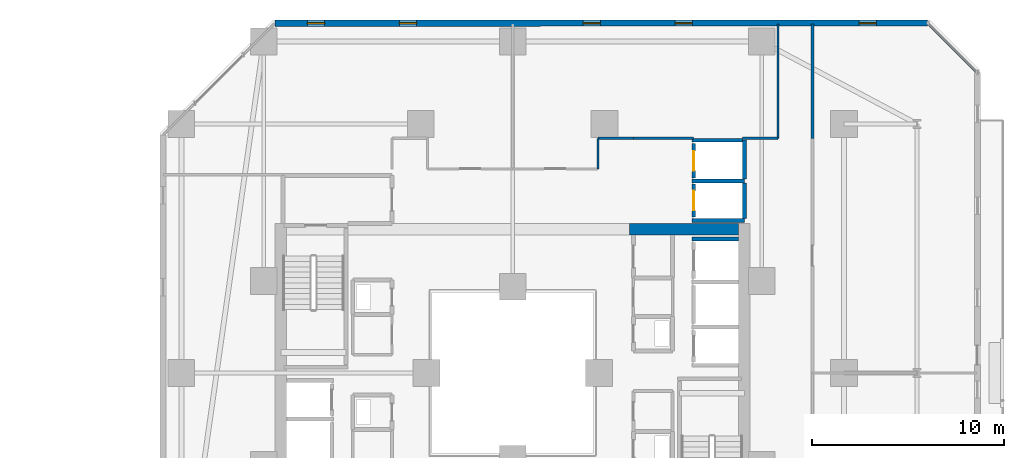
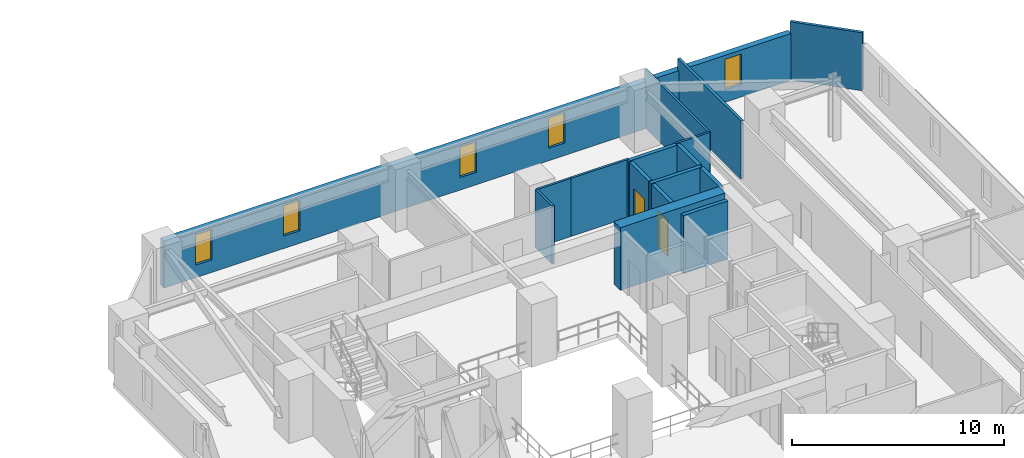
# One storey, part 25 of 33: 17 walls, 5 windows, 2 doors, 7 openings.
"""IFC4 building model written with IfcOpenShell, lengths in metres."""

import ifcopenshell
import ifcopenshell.guid

model = None  # the IFC model being written
_history = None  # IfcOwnerHistory: only IFC2X3 demands one
_inside = {}  # id of a spatial element -> (the spatial element, [elements in it])
_under = {}  # id of a project, library or spatial element -> (it, [spatial elements below it])
_declared = {}  # id of a project -> (the project, [libraries it declares])
_typed = {}  # id of a type object -> (the type object, [elements of that type])
_made_of = {}  # id of a material, layer set ... -> (it, [elements and type objects made of it])


def new_model(schema):
    """Start an empty IFC model of exactly this schema.

    Asked for "IFC4X3", IfcOpenShell would pick the latest addendum, in which some entities
    have other attributes; the version numbers below select the first issue.
    IFC2X3 requires an IfcOwnerHistory on every rooted entity: one is made here for all.
    """
    global model, _history
    if schema == "IFC4X3":
        model = ifcopenshell.file(schema_version=(4, 3, 0, 0))
    else:
        model = ifcopenshell.file(schema=schema)
    _inside.clear()
    _under.clear()
    _declared.clear()
    _typed.clear()
    _made_of.clear()
    _history = None
    if model.schema == "IFC2X3":
        org = make("IfcOrganization", Name="unknown")
        user = make(
            "IfcPersonAndOrganization",
            ThePerson=make("IfcPerson", FamilyName="unknown"),
            TheOrganization=org,
        )
        app = make(
            "IfcApplication",
            ApplicationDeveloper=org,
            Version="unknown",
            ApplicationFullName="unknown",
            ApplicationIdentifier="unknown",
        )
        _history = make(
            "IfcOwnerHistory",
            OwningUser=user,
            OwningApplication=app,
            ChangeAction="ADDED",
            CreationDate=0,
        )
    return model


def make(cls, **values):
    """One entity of the class cls with the attributes given. An attribute that is None is left unset."""
    return model.create_entity(
        cls, **{name: value for name, value in values.items() if value is not None}
    )


def rooted(cls, **values):
    """An entity with a GlobalId (a new one), such as an element, a storey or a relation."""
    return make(cls, GlobalId=ifcopenshell.guid.new(), OwnerHistory=_history, **values)


def si_unit(unit_type, name, prefix=None):
    """IfcSIUnit, for example si_unit("LENGTHUNIT", "METRE", prefix="MILLI")."""
    return make("IfcSIUnit", UnitType=unit_type, Prefix=prefix, Name=name)


def assignment(units):
    """IfcUnitAssignment: the units of a project."""
    return None if units is None else make("IfcUnitAssignment", Units=units)


def point(xyz):
    """IfcCartesianPoint."""
    return None if xyz is None else make("IfcCartesianPoint", Coordinates=xyz)


def direction(xyz):
    """IfcDirection."""
    return None if xyz is None else make("IfcDirection", DirectionRatios=xyz)


def frame(location, z_axis=None, x_axis=None):
    """IfcAxis2Placement3D, a coordinate frame: its origin and axes. An axis left out is left unset."""
    return make(
        "IfcAxis2Placement3D",
        Location=point(location),
        Axis=direction(z_axis),
        RefDirection=direction(x_axis),
    )


def frame_2d(location, x_axis=None):
    """IfcAxis2Placement2D, a coordinate frame in the plane: its origin and x axis."""
    return make(
        "IfcAxis2Placement2D", Location=point(location), RefDirection=direction(x_axis)
    )


def origin():
    """The frame at (0, 0, 0) with its axes left unset."""
    return frame((0.0, 0.0, 0.0))


def place(relative_to, where):
    """IfcLocalPlacement: puts the frame where relative to a parent placement (None: the world)."""
    return make(
        "IfcLocalPlacement", PlacementRelTo=relative_to, RelativePlacement=where
    )


def context(
    kind, dimensions, precision=None, world=None, true_north=None, identifier=None
):
    """IfcGeometricRepresentationContext, for example the 3D "Model" context."""
    return make(
        "IfcGeometricRepresentationContext",
        ContextIdentifier=identifier,
        ContextType=kind,
        CoordinateSpaceDimension=dimensions,
        Precision=precision,
        WorldCoordinateSystem=world,
        TrueNorth=true_north,
    )


def subcontext(parent, identifier, kind, view, scale=None):
    """IfcGeometricRepresentationSubContext, for example "Body" below "Model"."""
    return make(
        "IfcGeometricRepresentationSubContext",
        ContextIdentifier=identifier,
        ContextType=kind,
        ParentContext=parent,
        TargetScale=scale,
        TargetView=view,
    )


def project(units=None, contexts=None):
    """IfcProject with its units and contexts."""
    return rooted(
        "IfcProject",
        Name="project",
        RepresentationContexts=contexts,
        UnitsInContext=assignment(units),
    )


def spatial(cls, under=None, at=None, **own):
    """A site, building, storey or space (cls), placed at a placement, below another one or the project."""
    s = rooted(cls, ObjectPlacement=at, **own)
    if under is not None:
        _under.setdefault(under.id(), (under, []))[1].append(s)
    return s


def profile(cls, at=None, kind="AREA", **sizes):
    """A parametric profile (cls). Its sizes go by their IFC names, for example OverallWidth=200.0."""
    return make(cls, ProfileType=kind, Position=at, **sizes)


def rectangle(**sizes):
    """IfcRectangleProfileDef."""
    return profile("IfcRectangleProfileDef", **sizes)


def extrude(swept, where, along, depth):
    """IfcExtrudedAreaSolid: the profile swept, set in the frame where, extruded along a direction by depth."""
    return make(
        "IfcExtrudedAreaSolid",
        SweptArea=swept,
        Position=where,
        ExtrudedDirection=direction(along),
        Depth=depth,
    )


def shape(context_of_items, identifier, shape_type, items):
    """IfcShapeRepresentation: the items that make up one representation, for example the "Body"."""
    return make(
        "IfcShapeRepresentation",
        ContextOfItems=context_of_items,
        RepresentationIdentifier=identifier,
        RepresentationType=shape_type,
        Items=items,
    )


def material(Name=None, Category=None):
    """IfcMaterial."""
    return make("IfcMaterial", Name=Name, Category=Category)


def layer(
    of_material, thickness, ventilated=None, Name=None, Category=None, Priority=None
):
    """IfcMaterialLayer: one layer of a wall or slab, of a material (None: an air gap)."""
    return make(
        "IfcMaterialLayer",
        Material=of_material,
        LayerThickness=thickness,
        IsVentilated=ventilated,
        Name=Name,
        Category=Category,
        Priority=Priority,
    )


def layer_set(layers, Name=None):
    """IfcMaterialLayerSet."""
    return make("IfcMaterialLayerSet", MaterialLayers=layers, LayerSetName=Name)


def made_of(thing, what):
    """Note that an element or type object is made of a material, layer set ...; save() writes the relation."""
    if what is not None:
        _made_of.setdefault(what.id(), (what, []))[1].append(thing)
    return thing


def type_object(cls, material=None, **own):
    """A type object (cls), such as IfcWallType, which elements share."""
    return made_of(rooted(cls, **own), material)


def element(
    cls,
    number,
    at=None,
    inside=None,
    cuts=None,
    type_object=None,
    material=None,
    context=None,
    identifier="Body",
    shape_type=None,
    held_by="IfcProductDefinitionShape",
    body=None,
    shapes=None,
    **own,
):
    """One element of the class cls, such as IfcWall. Its Tag is "e" and its number.

    at: its placement. inside: the storey or other place that contains it. cuts: it is an
    opening in that element (IfcRelVoidsElement). A single representation is given by context,
    identifier, shape_type and body (its items); several are given by shapes. held_by: the class
    of the entity that holds the representations. save() writes the other relations.
    """
    e = rooted(cls, Tag="e%d" % number, ObjectPlacement=at, **own)
    if body is not None:
        shapes = [shape(context, identifier, shape_type, body)]
    if shapes is not None:
        e.Representation = make(held_by, Representations=shapes)
    if inside is not None:
        _inside.setdefault(inside.id(), (inside, []))[1].append(e)
    if cuts is not None:
        rooted(
            "IfcRelVoidsElement", RelatingBuildingElement=cuts, RelatedOpeningElement=e
        )
    if type_object is not None:
        _typed.setdefault(type_object.id(), (type_object, []))[1].append(e)
    return made_of(e, material)


def fill(opening, filler):
    """IfcRelFillsElement: the door or window that sits in an opening."""
    return rooted(
        "IfcRelFillsElement",
        RelatingOpeningElement=opening,
        RelatedBuildingElement=filler,
    )


def aggregate(whole, parts):
    """IfcRelAggregates: a whole, such as a stair, and the parts it consists of."""
    return rooted("IfcRelAggregates", RelatingObject=whole, RelatedObjects=parts)


def save(model, path):
    """Write the relations noted so far, then the file.

    IfcRelAggregates (storeys below a building ...), IfcRelContainedInSpatialStructure (elements
    in a storey), IfcRelDefinesByType, IfcRelAssociatesMaterial and IfcRelDeclares: one each for
    every whole, place, type object, material and project.
    """
    for whole, parts in _under.values():
        aggregate(whole, parts)
    for where, things in _inside.values():
        rooted(
            "IfcRelContainedInSpatialStructure",
            RelatedElements=things,
            RelatingStructure=where,
        )
    for kind, things in _typed.values():
        rooted("IfcRelDefinesByType", RelatedObjects=things, RelatingType=kind)
    for what, things in _made_of.values():
        rooted("IfcRelAssociatesMaterial", RelatedObjects=things, RelatingMaterial=what)
    for by, libraries in _declared.values():
        rooted("IfcRelDeclares", RelatingContext=by, RelatedDefinitions=libraries)
    model.write(path)


model = new_model("IFC4")

# Units and contexts
model_context = context("Model", 3, precision=1e-05, world=origin(), true_north=direction((0.0, 1.0)))
body_context = subcontext(model_context, "Body", "Model", "MODEL_VIEW")
ifc_project = project(units=[si_unit("LENGTHUNIT", "METRE"), si_unit("AREAUNIT", "SQUARE_METRE"), si_unit("VOLUMEUNIT", "CUBIC_METRE"), si_unit("PLANEANGLEUNIT", "RADIAN"), si_unit("MASSUNIT", "GRAM", prefix="KILO")], contexts=[model_context])

# Site, building, storey
site_placement = place(None, origin())
site = spatial("IfcSite", under=ifc_project, at=site_placement, CompositionType="ELEMENT")
building_placement = place(site_placement, origin())
building = spatial("IfcBuilding", under=site, at=building_placement, Name="Thornwick Lancets Civic Towers", CompositionType="ELEMENT")
storey_placement = place(building_placement, frame((0.0, 0.0, 31.5)))
storey = spatial("IfcBuildingStorey", under=building, at=storey_placement, Name="L07", CompositionType="ELEMENT", Elevation=31.5)

# Wall, opening, door
ifc_material_1 = material(Name="Concrete blockwork C40/50", Category="masonry")
ifc_layer_1 = layer(ifc_material_1, 0.199951171875, Name="Concrete blockwork C40/50")
ifc_layer_set_1 = layer_set([ifc_layer_1], Name="Concrete blockwork C40/50")
wall_type_1 = type_object("IfcWallType", Name="WALL_COMP_200", PredefinedType="STANDARD", material=ifc_layer_set_1)
wall_1_placement = place(storey_placement, frame((97.949951171875, 36.8701171875, 0.0), z_axis=(0.0, 0.0, 1.0), x_axis=(0.0, -1.0, 0.0)))
wall_1 = element("IfcWall", 1, at=wall_1_placement, inside=storey, type_object=wall_type_1, Name="L07 Hoistway Front Wall PL-BL2", PredefinedType="STANDARD", context=body_context, shape_type="SweptSolid", body=[
    extrude(rectangle(XDim=1.740234375, YDim=0.199951171875, at=frame_2d((0.8701171875, 0.0))), origin(), (0.0, 0.0, 1.0), 3.340087890625),
])
opening_1_placement = place(wall_1_placement, frame((0.360107421875, 0.0, 0.0)))
opening_1 = element("IfcOpeningElement", 2, at=opening_1_placement, cuts=wall_1, Name="Opening LD-PL-BL2", PredefinedType="OPENING", context=body_context, shape_type="SweptSolid", body=[
    extrude(rectangle(XDim=1.02001953125, YDim=2.06005859375, at=frame_2d((0.510009765625, 1.030029296875))), frame((0.0, 0.10986328125, 0.0), z_axis=(0.0, -1.0, 0.0), x_axis=(1.0, 0.0, 0.0)), (0.0, 0.0, 1.0), 0.219970703125),
])
ifc_material_2 = material(Name="Brushed bronze stainless steel", Category="steel")
door_type = type_object("IfcDoorType", Name="DOOR_LIFT_SLIDE", OperationType="SLIDING_TO_LEFT", PredefinedType="DOOR", material=ifc_material_2)
door_1_placement = place(opening_1_placement, origin())
door_1 = element("IfcDoor", 3, at=door_1_placement, inside=storey, type_object=door_type, Name="L07 Sliding Lift Landing Door LD-PL-BL2", OperationType="SLIDING_TO_LEFT", OverallHeight=2.06005859375, OverallWidth=1.02001953125, PredefinedType="DOOR", context=body_context, shape_type="SweptSolid", body=[
    extrude(rectangle(XDim=1.02001953125, YDim=2.06005859375, at=frame_2d((0.510009765625, 1.030029296875))), frame((0.0, 0.02490234375, 0.0), z_axis=(0.0, -1.0, 0.0), x_axis=(1.0, 0.0, 0.0)), (0.0, 0.0, 1.0), 0.050048828125),
])
fill(opening_1, door_1)

wall_2_placement = place(storey_placement, frame((97.949951171875, 38.969970703125, 0.0), z_axis=(0.0, 0.0, 1.0), x_axis=(0.0, -1.0, 0.0)))
wall_2 = element("IfcWall", 4, at=wall_2_placement, inside=storey, type_object=wall_type_1, Name="L07 Hoistway Front Wall PL-BL3", PredefinedType="STANDARD", context=body_context, shape_type="SweptSolid", body=[
    extrude(rectangle(XDim=1.7900390625, YDim=0.199951171875, at=frame_2d((0.89501953125, 0.0))), origin(), (0.0, 0.0, 1.0), 3.340087890625),
])
opening_2_placement = place(wall_2_placement, frame((0.385009765625, 0.0, 0.0)))
opening_2 = element("IfcOpeningElement", 5, at=opening_2_placement, cuts=wall_2, Name="Opening LD-PL-BL3", PredefinedType="OPENING", context=body_context, shape_type="SweptSolid", body=[
    extrude(rectangle(XDim=1.02001953125, YDim=2.06005859375, at=frame_2d((0.510009765625, 1.030029296875))), frame((0.0, 0.10986328125, 0.0), z_axis=(0.0, -1.0, 0.0), x_axis=(1.0, 0.0, 0.0)), (0.0, 0.0, 1.0), 0.219970703125),
])
door_2_placement = place(opening_2_placement, origin())
door_2 = element("IfcDoor", 6, at=door_2_placement, inside=storey, type_object=door_type, Name="L07 Sliding Lift Landing Door LD-PL-BL3", OperationType="SLIDING_TO_LEFT", OverallHeight=2.06005859375, OverallWidth=1.02001953125, PredefinedType="DOOR", context=body_context, shape_type="SweptSolid", body=[
    extrude(rectangle(XDim=1.02001953125, YDim=2.06005859375, at=frame_2d((0.510009765625, 1.030029296875))), frame((0.0, 0.02490234375, 0.0), z_axis=(0.0, -1.0, 0.0), x_axis=(1.0, 0.0, 0.0)), (0.0, 0.0, 1.0), 0.050048828125),
])
fill(opening_2, door_2)

# Walls
wall_3_placement = place(storey_placement, frame((97.85205078125, 34.0, 0.0), z_axis=(0.0, 0.0, 1.0), x_axis=(1.0, 0.0, 0.0)))
element("IfcWall", 7, at=wall_3_placement, inside=storey, type_object=wall_type_1, Name="L07 Hoistway Shaft Wall PL-BL1 N", PredefinedType="STANDARD", context=body_context, shape_type="SweptSolid", body=[
    extrude(rectangle(XDim=2.43603515625, YDim=0.199951171875, at=frame_2d((1.218017578125, 0.0))), origin(), (0.0, 0.0, 1.0), 3.340087890625),
])
for number, where, z_axis, x_axis, name in (
    (8, (97.85205078125, 37.02490234375, 0.0), (0.0, 0.0, 1.0), (1.0, 0.0, 0.0), "L07 Hoistway Shaft Wall PL-BL2 N"),
    (9, (97.85205078125, 34.949951171875, 0.0), (0.0, 0.0, 1.0), (1.0, 0.0, 0.0), "L07 Hoistway Shaft Wall PL-BL2 S"),
):
    element("IfcWall", number, at=place(storey_placement, frame(where, z_axis=z_axis, x_axis=x_axis)), inside=storey, type_object=wall_type_1, Name=name, PredefinedType="STANDARD", context=body_context, shape_type="SweptSolid", body=[
        extrude(rectangle(XDim=2.745849609375, YDim=0.199951171875, at=frame_2d((1.373046875, 0.0))), origin(), (0.0, 0.0, 1.0), 3.340087890625),
    ])
wall_4_placement = place(storey_placement, frame((100.60009765625, 35.06201171875, 0.0), z_axis=(0.0, 0.0, 1.0), x_axis=(0.0, 1.0, 0.0)))
element("IfcWall", 10, at=wall_4_placement, inside=storey, type_object=wall_type_1, Name="L07 Hoistway Shaft Wall PL-BL2 E", PredefinedType="STANDARD", context=body_context, shape_type="SweptSolid", body=[
    extrude(rectangle(XDim=1.85595703125, YDim=0.199951171875, at=frame_2d((0.927978515625, 0.0))), origin(), (0.0, 0.0, 1.0), 3.340087890625),
])
wall_5_placement = place(storey_placement, frame((100.60009765625, 37.132080078125, 0.0), z_axis=(0.0, 0.0, 1.0), x_axis=(0.0, 1.0, 0.0)))
element("IfcWall", 11, at=wall_5_placement, inside=storey, type_object=wall_type_1, Name="L07 Hoistway Shaft Wall PL-BL2 E", PredefinedType="STANDARD", context=body_context, shape_type="SweptSolid", body=[
    extrude(rectangle(XDim=2.015869140625, YDim=0.199951171875, at=frame_2d((1.0078125, 0.0))), origin(), (0.0, 0.0, 1.0), 3.340087890625),
])
wall_6_placement = place(storey_placement, frame((97.85205078125, 39.14990234375, 0.0), z_axis=(0.0, 0.0, 1.0), x_axis=(1.0, 0.0, 0.0)))
element("IfcWall", 12, at=wall_6_placement, inside=storey, type_object=wall_type_1, Name="L07 Hoistway Shaft Wall PL-BL3 N", PredefinedType="STANDARD", context=body_context, shape_type="SweptSolid", body=[
    extrude(rectangle(XDim=2.635986328125, YDim=0.199951171875, at=frame_2d((1.31787109375, 0.0))), origin(), (0.0, 0.0, 1.0), 3.340087890625),
])
ifc_material_3 = material(Name="Concrete C60/75", Category="concrete")
ifc_layer_2 = layer(ifc_material_3, 0.60009765625, Name="Concrete C60/75")
ifc_layer_set_2 = layer_set([ifc_layer_2], Name="Concrete C60/75")
wall_type_2 = type_object("IfcWallType", Name="WALL_CORE_600", PredefinedType="SHEAR", material=ifc_layer_set_2)
wall_7_placement = place(storey_placement, frame((94.60009765625, 34.5, 0.0), z_axis=(0.0, 0.0, 1.0), x_axis=(1.0, 0.0, 0.0)))
element("IfcWall", 13, at=wall_7_placement, inside=storey, type_object=wall_type_2, Name="L07 Split Core B1 Shear Wall N", PredefinedType="SHEAR", context=body_context, shape_type="SweptSolid", body=[
    extrude(rectangle(XDim=5.699951171875, YDim=0.60009765625, at=frame_2d((2.85009765625, 0.0))), origin(), (0.0, 0.0, 1.0), 3.60009765625),
])

# Wall, openings, windows
ifc_material_4 = material(Name="Insulated buff terracotta rainscreen on concrete C40/50", Category="masonry")
ifc_layer_3 = layer(ifc_material_4, 0.320068359375, Name="Insulated buff terracotta rainscreen on concrete C40/50")
ifc_layer_set_3 = layer_set([ifc_layer_3], Name="Insulated buff terracotta rainscreen on concrete C40/50")
wall_type_3 = type_object("IfcWallType", Name="WALL_EXT_TERRA_320", PredefinedType="STANDARD", material=ifc_layer_set_3)
wall_8_placement = place(storey_placement, frame((110.18115234375, 45.264892578125, 0.0), z_axis=(0.0, 0.0, 1.0), x_axis=(-0.999999952618, -0.000307837676, 0.0)))
wall_8 = element("IfcWall", 14, at=wall_8_placement, inside=storey, type_object=wall_type_3, Name="L07 Tower B Terracotta Facade Wall E4", PredefinedType="STANDARD", context=body_context, shape_type="SweptSolid", body=[
    extrude(rectangle(XDim=34.1025390625, YDim=0.320068359375, at=frame_2d((17.05126953125, 0.0))), origin(), (0.0, 0.0, 1.0), 2.699951171875),
])
opening_3_placement = place(wall_8_placement, frame((2.699951171875, 0.0, 0.719970703125)))
opening_3 = element("IfcOpeningElement", 15, at=opening_3_placement, cuts=wall_8, Name="Opening WL-01", PredefinedType="OPENING", context=body_context, shape_type="SweptSolid", body=[
    extrude(rectangle(XDim=0.89990234375, YDim=1.75, at=frame_2d((0.449951171875, 0.875))), frame((0.0, 0.169921875, 0.0), z_axis=(0.0, -1.0, 0.0), x_axis=(1.0, 0.0, 0.0)), (0.0, 0.0, 1.0), 0.340087890625),
])
opening_4_placement = place(wall_8_placement, frame((12.300048828125, 0.0, 0.719970703125)))
opening_4 = element("IfcOpeningElement", 16, at=opening_4_placement, cuts=wall_8, Name="Opening WL-01", PredefinedType="OPENING", context=body_context, shape_type="SweptSolid", body=[
    extrude(rectangle(XDim=0.89990234375, YDim=1.75, at=frame_2d((0.449951171875, 0.875))), frame((0.0, 0.169921875, 0.0), z_axis=(0.0, -1.0, 0.0), x_axis=(1.0, 0.0, 0.0)), (0.0, 0.0, 1.0), 0.340087890625),
])
opening_5_placement = place(wall_8_placement, frame((17.10009765625, 0.0, 0.719970703125)))
opening_5 = element("IfcOpeningElement", 17, at=opening_5_placement, cuts=wall_8, Name="Opening WL-01", PredefinedType="OPENING", context=body_context, shape_type="SweptSolid", body=[
    extrude(rectangle(XDim=0.89990234375, YDim=1.75, at=frame_2d((0.449951171875, 0.875))), frame((0.0, 0.169921875, 0.0), z_axis=(0.0, -1.0, 0.0), x_axis=(1.0, 0.0, 0.0)), (0.0, 0.0, 1.0), 0.340087890625),
])
opening_6_placement = place(wall_8_placement, frame((26.699951171875, 0.0, 0.719970703125)))
opening_6 = element("IfcOpeningElement", 18, at=opening_6_placement, cuts=wall_8, Name="Opening WL-01", PredefinedType="OPENING", context=body_context, shape_type="SweptSolid", body=[
    extrude(rectangle(XDim=0.89990234375, YDim=1.75, at=frame_2d((0.449951171875, 0.875))), frame((0.0, 0.169921875, 0.0), z_axis=(0.0, -1.0, 0.0), x_axis=(1.0, 0.0, 0.0)), (0.0, 0.0, 1.0), 0.340087890625),
])
opening_7_placement = place(wall_8_placement, frame((31.5, 0.0, 0.719970703125)))
opening_7 = element("IfcOpeningElement", 19, at=opening_7_placement, cuts=wall_8, Name="Opening WL-01", PredefinedType="OPENING", context=body_context, shape_type="SweptSolid", body=[
    extrude(rectangle(XDim=0.89990234375, YDim=1.75, at=frame_2d((0.449951171875, 0.875))), frame((0.0, 0.169921875, 0.0), z_axis=(0.0, -1.0, 0.0), x_axis=(1.0, 0.0, 0.0)), (0.0, 0.0, 1.0), 0.340087890625),
])
ifc_material_5 = material(Name="Clear low-e double glazing in bronze frame", Category="glass")
window_type = type_object("IfcWindowType", Name="WIN_LANCET_900", PartitioningType="SINGLE_PANEL", PredefinedType="WINDOW", material=ifc_material_5)
window_1_placement = place(opening_3_placement, origin())
window_1 = element("IfcWindow", 20, at=window_1_placement, inside=storey, type_object=window_type, Name="L07 Tower B Staggered Lancet Window E4-1", OverallHeight=1.75, OverallWidth=0.89990234375, PartitioningType="SINGLE_PANEL", PredefinedType="WINDOW", context=body_context, shape_type="SweptSolid", body=[
    extrude(rectangle(XDim=0.89990234375, YDim=1.75, at=frame_2d((0.449951171875, 0.875))), frame((0.0, 0.030029296875, 0.0), z_axis=(0.0, -1.0, 0.0), x_axis=(1.0, 0.0, 0.0)), (0.0, 0.0, 1.0), 0.06005859375),
])
fill(opening_3, window_1)
window_2_placement = place(opening_4_placement, origin())
window_2 = element("IfcWindow", 21, at=window_2_placement, inside=storey, type_object=window_type, Name="L07 Tower B Staggered Lancet Window E4-2", OverallHeight=1.75, OverallWidth=0.89990234375, PartitioningType="SINGLE_PANEL", PredefinedType="WINDOW", context=body_context, shape_type="SweptSolid", body=[
    extrude(rectangle(XDim=0.89990234375, YDim=1.75, at=frame_2d((0.449951171875, 0.875))), frame((0.0, 0.030029296875, 0.0), z_axis=(0.0, -1.0, 0.0), x_axis=(1.0, 0.0, 0.0)), (0.0, 0.0, 1.0), 0.06005859375),
])
fill(opening_4, window_2)
window_3_placement = place(opening_5_placement, origin())
window_3 = element("IfcWindow", 22, at=window_3_placement, inside=storey, type_object=window_type, Name="L07 Tower B Staggered Lancet Window E4-3", OverallHeight=1.75, OverallWidth=0.89990234375, PartitioningType="SINGLE_PANEL", PredefinedType="WINDOW", context=body_context, shape_type="SweptSolid", body=[
    extrude(rectangle(XDim=0.89990234375, YDim=1.75, at=frame_2d((0.449951171875, 0.875))), frame((0.0, 0.030029296875, 0.0), z_axis=(0.0, -1.0, 0.0), x_axis=(1.0, 0.0, 0.0)), (0.0, 0.0, 1.0), 0.06005859375),
])
fill(opening_5, window_3)
window_4_placement = place(opening_6_placement, origin())
window_4 = element("IfcWindow", 23, at=window_4_placement, inside=storey, type_object=window_type, Name="L07 Tower B Staggered Lancet Window E4-4", OverallHeight=1.75, OverallWidth=0.89990234375, PartitioningType="SINGLE_PANEL", PredefinedType="WINDOW", context=body_context, shape_type="SweptSolid", body=[
    extrude(rectangle(XDim=0.89990234375, YDim=1.75, at=frame_2d((0.449951171875, 0.875))), frame((0.0, 0.030029296875, 0.0), z_axis=(0.0, -1.0, 0.0), x_axis=(1.0, 0.0, 0.0)), (0.0, 0.0, 1.0), 0.06005859375),
])
fill(opening_6, window_4)
window_5_placement = place(opening_7_placement, origin())
window_5 = element("IfcWindow", 24, at=window_5_placement, inside=storey, type_object=window_type, Name="L07 Tower B Staggered Lancet Window E4-5", OverallHeight=1.75, OverallWidth=0.89990234375, PartitioningType="SINGLE_PANEL", PredefinedType="WINDOW", context=body_context, shape_type="SweptSolid", body=[
    extrude(rectangle(XDim=0.89990234375, YDim=1.75, at=frame_2d((0.449951171875, 0.875))), frame((0.0, 0.030029296875, 0.0), z_axis=(0.0, -1.0, 0.0), x_axis=(1.0, 0.0, 0.0)), (0.0, 0.0, 1.0), 0.06005859375),
])
fill(opening_7, window_5)

# Walls
ifc_material_6 = material(Name="Acoustic gypsum board partition")
ifc_layer_4 = layer(ifc_material_6, 0.1201171875, Name="Acoustic gypsum board partition")
ifc_layer_set_4 = layer_set([ifc_layer_4], Name="Acoustic gypsum board partition")
wall_type_4 = type_object("IfcWallType", Name="WALL_PART_120", PredefinedType="PARTITIONING", material=ifc_layer_set_4)
wall_9_placement = place(storey_placement, frame((97.949951171875, 39.25, 0.0), z_axis=(0.0, 0.0, 1.0), x_axis=(-1.0, 0.0, 0.0)))
element("IfcWall", 25, at=wall_9_placement, inside=storey, type_object=wall_type_4, Name="L07 Partition L07-B-E1 E1", PredefinedType="PARTITIONING", context=body_context, shape_type="SweptSolid", body=[
    extrude(rectangle(XDim=3.14990234375, YDim=0.1201171875, at=frame_2d((1.574951171875, 0.0))), origin(), (0.0, 0.0, 1.0), 3.340087890625),
])
wall_10_placement = place(storey_placement, frame((94.800048828125, 39.25, 0.0), z_axis=(0.0, 0.0, 1.0), x_axis=(-1.0, 0.0, 0.0)))
element("IfcWall", 26, at=wall_10_placement, inside=storey, type_object=wall_type_4, Name="L07 Partition L07-B-E1 E2", PredefinedType="PARTITIONING", context=body_context, shape_type="SweptSolid", body=[
    extrude(rectangle(XDim=1.85009765625, YDim=0.1201171875, at=frame_2d((0.925048828125, 0.0))), origin(), (0.0, 0.0, 1.0), 3.340087890625),
])
wall_11_placement = place(storey_placement, frame((92.949951171875, 39.25, 0.0), z_axis=(0.0, 0.0, 1.0), x_axis=(0.0, -1.0, 0.0)))
element("IfcWall", 27, at=wall_11_placement, inside=storey, type_object=wall_type_4, Name="L07 Partition L07-B-E1 E3", PredefinedType="PARTITIONING", context=body_context, shape_type="SweptSolid", body=[
    extrude(rectangle(XDim=1.60009765625, YDim=0.1201171875, at=frame_2d((0.800048828125, 0.0))), origin(), (0.0, 0.0, 1.0), 3.340087890625),
])
wall_12_placement = place(storey_placement, frame((102.35009765625, 45.219970703125, 0.0), z_axis=(0.0, 0.0, 1.0), x_axis=(0.0, -1.0, 0.0)))
element("IfcWall", 28, at=wall_12_placement, inside=storey, type_object=wall_type_4, Name="L07 Partition L07-B-E1 E7", PredefinedType="PARTITIONING", context=body_context, shape_type="SweptSolid", body=[
    extrude(rectangle(XDim=5.969970703125, YDim=0.1201171875, at=frame_2d((2.98486328125, 0.0))), origin(), (0.0, 0.0, 1.0), 3.340087890625),
])
wall_13_placement = place(storey_placement, frame((102.35009765625, 39.25, 0.0), z_axis=(0.0, 0.0, 1.0), x_axis=(-1.0, 0.0, 0.0)))
element("IfcWall", 29, at=wall_13_placement, inside=storey, type_object=wall_type_4, Name="L07 Partition L07-B-E1 E8", PredefinedType="PARTITIONING", context=body_context, shape_type="SweptSolid", body=[
    extrude(rectangle(XDim=1.862060546875, YDim=0.1201171875, at=frame_2d((0.93115234375, 0.0))), origin(), (0.0, 0.0, 1.0), 3.340087890625),
])
ifc_material_7 = material(Name="Twin-stud acoustic gypsum board")
ifc_layer_5 = layer(ifc_material_7, 0.14990234375, Name="Twin-stud acoustic gypsum board")
ifc_layer_set_5 = layer_set([ifc_layer_5], Name="Twin-stud acoustic gypsum board")
wall_type_5 = type_object("IfcWallType", Name="WALL_PART_150", PredefinedType="PARTITIONING", material=ifc_layer_set_5)
wall_14_placement = place(storey_placement, frame((104.14990234375, 39.25, 0.0), z_axis=(0.0, 0.0, 1.0), x_axis=(0.0, 1.0, 0.0)))
element("IfcWall", 30, at=wall_14_placement, inside=storey, type_object=wall_type_5, Name="L07 Partition L07-B-S-ARCH E2", PredefinedType="PARTITIONING", context=body_context, shape_type="SweptSolid", body=[
    extrude(rectangle(XDim=5.969970703125, YDim=0.14990234375, at=frame_2d((2.98486328125, 0.0))), origin(), (0.0, 0.0, 1.0), 3.340087890625),
])
wall_15_placement = place(storey_placement, frame((110.225341796875, 45.219970703125, 0.0), z_axis=(0.0, 0.0, 1.0), x_axis=(0.707106781187, -0.707106781187, 0.0)))
element("IfcWall", 31, at=wall_15_placement, inside=storey, type_object=wall_type_5, Name="L07 Partition L07-B-S-ARCH E4", PredefinedType="PARTITIONING", context=body_context, shape_type="SweptSolid", body=[
    extrude(rectangle(XDim=3.52783203125, YDim=0.14990234375, at=frame_2d((1.763916015625, 0.0))), origin(), (0.0, 0.0, 1.0), 3.340087890625),
])

save(model, "model.ifc")
